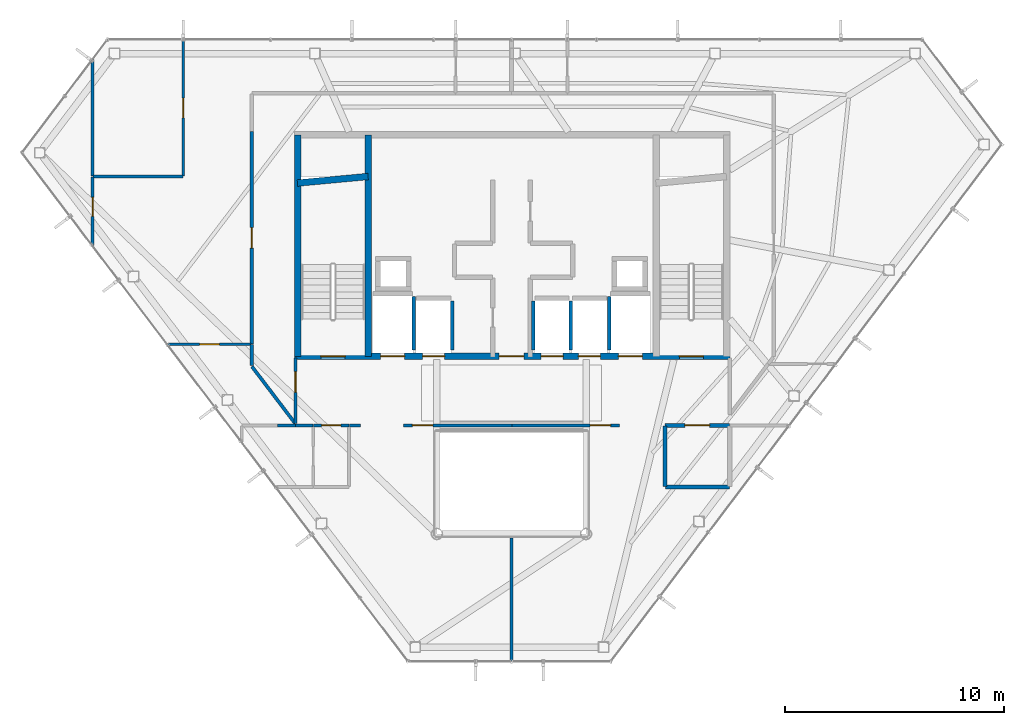
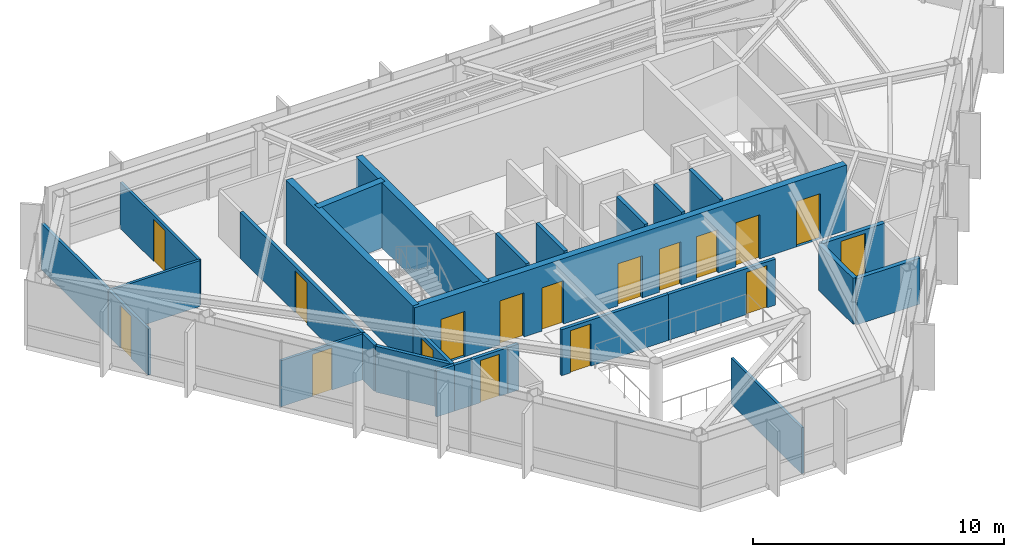
# One storey, part 21 of 24: 28 walls, 17 doors, 17 openings.
"""IFC4 building model written with IfcOpenShell, lengths in metres."""

import ifcopenshell
import ifcopenshell.guid

model = None  # the IFC model being written
_history = None  # IfcOwnerHistory: only IFC2X3 demands one
_inside = {}  # id of a spatial element -> (the spatial element, [elements in it])
_under = {}  # id of a project, library or spatial element -> (it, [spatial elements below it])
_declared = {}  # id of a project -> (the project, [libraries it declares])
_typed = {}  # id of a type object -> (the type object, [elements of that type])
_made_of = {}  # id of a material, layer set ... -> (it, [elements and type objects made of it])


def new_model(schema):
    """Start an empty IFC model of exactly this schema.

    Asked for "IFC4X3", IfcOpenShell would pick the latest addendum, in which some entities
    have other attributes; the version numbers below select the first issue.
    IFC2X3 requires an IfcOwnerHistory on every rooted entity: one is made here for all.
    """
    global model, _history
    if schema == "IFC4X3":
        model = ifcopenshell.file(schema_version=(4, 3, 0, 0))
    else:
        model = ifcopenshell.file(schema=schema)
    _inside.clear()
    _under.clear()
    _declared.clear()
    _typed.clear()
    _made_of.clear()
    _history = None
    if model.schema == "IFC2X3":
        org = make("IfcOrganization", Name="unknown")
        user = make(
            "IfcPersonAndOrganization",
            ThePerson=make("IfcPerson", FamilyName="unknown"),
            TheOrganization=org,
        )
        app = make(
            "IfcApplication",
            ApplicationDeveloper=org,
            Version="unknown",
            ApplicationFullName="unknown",
            ApplicationIdentifier="unknown",
        )
        _history = make(
            "IfcOwnerHistory",
            OwningUser=user,
            OwningApplication=app,
            ChangeAction="ADDED",
            CreationDate=0,
        )
    return model


def make(cls, **values):
    """One entity of the class cls with the attributes given. An attribute that is None is left unset."""
    return model.create_entity(
        cls, **{name: value for name, value in values.items() if value is not None}
    )


def rooted(cls, **values):
    """An entity with a GlobalId (a new one), such as an element, a storey or a relation."""
    return make(cls, GlobalId=ifcopenshell.guid.new(), OwnerHistory=_history, **values)


def si_unit(unit_type, name, prefix=None):
    """IfcSIUnit, for example si_unit("LENGTHUNIT", "METRE", prefix="MILLI")."""
    return make("IfcSIUnit", UnitType=unit_type, Prefix=prefix, Name=name)


def assignment(units):
    """IfcUnitAssignment: the units of a project."""
    return None if units is None else make("IfcUnitAssignment", Units=units)


def point(xyz):
    """IfcCartesianPoint."""
    return None if xyz is None else make("IfcCartesianPoint", Coordinates=xyz)


def direction(xyz):
    """IfcDirection."""
    return None if xyz is None else make("IfcDirection", DirectionRatios=xyz)


def frame(location, z_axis=None, x_axis=None):
    """IfcAxis2Placement3D, a coordinate frame: its origin and axes. An axis left out is left unset."""
    return make(
        "IfcAxis2Placement3D",
        Location=point(location),
        Axis=direction(z_axis),
        RefDirection=direction(x_axis),
    )


def frame_2d(location, x_axis=None):
    """IfcAxis2Placement2D, a coordinate frame in the plane: its origin and x axis."""
    return make(
        "IfcAxis2Placement2D", Location=point(location), RefDirection=direction(x_axis)
    )


def origin():
    """The frame at (0, 0, 0) with its axes left unset."""
    return frame((0.0, 0.0, 0.0))


def place(relative_to, where):
    """IfcLocalPlacement: puts the frame where relative to a parent placement (None: the world)."""
    return make(
        "IfcLocalPlacement", PlacementRelTo=relative_to, RelativePlacement=where
    )


def context(
    kind, dimensions, precision=None, world=None, true_north=None, identifier=None
):
    """IfcGeometricRepresentationContext, for example the 3D "Model" context."""
    return make(
        "IfcGeometricRepresentationContext",
        ContextIdentifier=identifier,
        ContextType=kind,
        CoordinateSpaceDimension=dimensions,
        Precision=precision,
        WorldCoordinateSystem=world,
        TrueNorth=true_north,
    )


def subcontext(parent, identifier, kind, view, scale=None):
    """IfcGeometricRepresentationSubContext, for example "Body" below "Model"."""
    return make(
        "IfcGeometricRepresentationSubContext",
        ContextIdentifier=identifier,
        ContextType=kind,
        ParentContext=parent,
        TargetScale=scale,
        TargetView=view,
    )


def project(units=None, contexts=None):
    """IfcProject with its units and contexts."""
    return rooted(
        "IfcProject",
        Name="project",
        RepresentationContexts=contexts,
        UnitsInContext=assignment(units),
    )


def spatial(cls, under=None, at=None, **own):
    """A site, building, storey or space (cls), placed at a placement, below another one or the project."""
    s = rooted(cls, ObjectPlacement=at, **own)
    if under is not None:
        _under.setdefault(under.id(), (under, []))[1].append(s)
    return s


def profile(cls, at=None, kind="AREA", **sizes):
    """A parametric profile (cls). Its sizes go by their IFC names, for example OverallWidth=200.0."""
    return make(cls, ProfileType=kind, Position=at, **sizes)


def rectangle(**sizes):
    """IfcRectangleProfileDef."""
    return profile("IfcRectangleProfileDef", **sizes)


def extrude(swept, where, along, depth):
    """IfcExtrudedAreaSolid: the profile swept, set in the frame where, extruded along a direction by depth."""
    return make(
        "IfcExtrudedAreaSolid",
        SweptArea=swept,
        Position=where,
        ExtrudedDirection=direction(along),
        Depth=depth,
    )


def shape(context_of_items, identifier, shape_type, items):
    """IfcShapeRepresentation: the items that make up one representation, for example the "Body"."""
    return make(
        "IfcShapeRepresentation",
        ContextOfItems=context_of_items,
        RepresentationIdentifier=identifier,
        RepresentationType=shape_type,
        Items=items,
    )


def material(Name=None, Category=None):
    """IfcMaterial."""
    return make("IfcMaterial", Name=Name, Category=Category)


def layer(
    of_material, thickness, ventilated=None, Name=None, Category=None, Priority=None
):
    """IfcMaterialLayer: one layer of a wall or slab, of a material (None: an air gap)."""
    return make(
        "IfcMaterialLayer",
        Material=of_material,
        LayerThickness=thickness,
        IsVentilated=ventilated,
        Name=Name,
        Category=Category,
        Priority=Priority,
    )


def layer_set(layers, Name=None):
    """IfcMaterialLayerSet."""
    return make("IfcMaterialLayerSet", MaterialLayers=layers, LayerSetName=Name)


def made_of(thing, what):
    """Note that an element or type object is made of a material, layer set ...; save() writes the relation."""
    if what is not None:
        _made_of.setdefault(what.id(), (what, []))[1].append(thing)
    return thing


def type_object(cls, material=None, **own):
    """A type object (cls), such as IfcWallType, which elements share."""
    return made_of(rooted(cls, **own), material)


def element(
    cls,
    number,
    at=None,
    inside=None,
    cuts=None,
    type_object=None,
    material=None,
    context=None,
    identifier="Body",
    shape_type=None,
    held_by="IfcProductDefinitionShape",
    body=None,
    shapes=None,
    **own,
):
    """One element of the class cls, such as IfcWall. Its Tag is "e" and its number.

    at: its placement. inside: the storey or other place that contains it. cuts: it is an
    opening in that element (IfcRelVoidsElement). A single representation is given by context,
    identifier, shape_type and body (its items); several are given by shapes. held_by: the class
    of the entity that holds the representations. save() writes the other relations.
    """
    e = rooted(cls, Tag="e%d" % number, ObjectPlacement=at, **own)
    if body is not None:
        shapes = [shape(context, identifier, shape_type, body)]
    if shapes is not None:
        e.Representation = make(held_by, Representations=shapes)
    if inside is not None:
        _inside.setdefault(inside.id(), (inside, []))[1].append(e)
    if cuts is not None:
        rooted(
            "IfcRelVoidsElement", RelatingBuildingElement=cuts, RelatedOpeningElement=e
        )
    if type_object is not None:
        _typed.setdefault(type_object.id(), (type_object, []))[1].append(e)
    return made_of(e, material)


def fill(opening, filler):
    """IfcRelFillsElement: the door or window that sits in an opening."""
    return rooted(
        "IfcRelFillsElement",
        RelatingOpeningElement=opening,
        RelatedBuildingElement=filler,
    )


def aggregate(whole, parts):
    """IfcRelAggregates: a whole, such as a stair, and the parts it consists of."""
    return rooted("IfcRelAggregates", RelatingObject=whole, RelatedObjects=parts)


def save(model, path):
    """Write the relations noted so far, then the file.

    IfcRelAggregates (storeys below a building ...), IfcRelContainedInSpatialStructure (elements
    in a storey), IfcRelDefinesByType, IfcRelAssociatesMaterial and IfcRelDeclares: one each for
    every whole, place, type object, material and project.
    """
    for whole, parts in _under.values():
        aggregate(whole, parts)
    for where, things in _inside.values():
        rooted(
            "IfcRelContainedInSpatialStructure",
            RelatedElements=things,
            RelatingStructure=where,
        )
    for kind, things in _typed.values():
        rooted("IfcRelDefinesByType", RelatedObjects=things, RelatingType=kind)
    for what, things in _made_of.values():
        rooted("IfcRelAssociatesMaterial", RelatedObjects=things, RelatingMaterial=what)
    for by, libraries in _declared.values():
        rooted("IfcRelDeclares", RelatingContext=by, RelatedDefinitions=libraries)
    model.write(path)


model = new_model("IFC4")

# Units and contexts
model_context = context("Model", 3, precision=1e-05, world=origin(), true_north=direction((0.0, 1.0)))
body_context = subcontext(model_context, "Body", "Model", "MODEL_VIEW")
ifc_project = project(units=[si_unit("LENGTHUNIT", "METRE"), si_unit("AREAUNIT", "SQUARE_METRE"), si_unit("VOLUMEUNIT", "CUBIC_METRE"), si_unit("PLANEANGLEUNIT", "RADIAN"), si_unit("MASSUNIT", "GRAM", prefix="KILO")], contexts=[model_context])

# Site, building, storey
site_placement = place(None, origin())
site = spatial("IfcSite", under=ifc_project, at=site_placement, CompositionType="ELEMENT")
building_placement = place(site_placement, origin())
building = spatial("IfcBuilding", under=site, at=building_placement, Name="Zarrinselat Tower", CompositionType="ELEMENT")
storey_placement = place(building_placement, frame((0.0, 0.0, 268.60009765625)))
storey = spatial("IfcBuildingStorey", under=building, at=storey_placement, Name="L68", CompositionType="ELEMENT", Elevation=268.60009765625)

# Wall, opening, door
ifc_material_1 = material(Name="Concrete C40/50", Category="concrete")
ifc_layer_1 = layer(ifc_material_1, 0.18994140625)
ifc_layer_set_1 = layer_set([ifc_layer_1], Name="Concrete C40/50")
wall_type_1 = type_object("IfcWallType", Name="WAL-PART-EI120", PredefinedType="PARTITIONING", material=ifc_layer_set_1)
wall_1_placement = place(storey_placement, frame((45.405029296875, 30.14990234375, 0.0), z_axis=(0.0, 0.0, 1.0), x_axis=(1.0, 0.0, 0.0)))
wall_1 = element("IfcWall", 1, at=wall_1_placement, inside=storey, type_object=wall_type_1, Name="L68 Partition Wall 11", PredefinedType="PARTITIONING", context=body_context, shape_type="SweptSolid", body=[
    extrude(rectangle(XDim=2.925048828125, YDim=0.18994140625, at=frame_2d((1.46240234375, 0.0))), origin(), (0.0, 0.0, 1.0), 2.23486328125),
])
opening_1_placement = place(wall_1_placement, frame((0.902587890625, 0.0, 0.0)))
opening_1 = element("IfcOpeningElement", 2, at=opening_1_placement, cuts=wall_1, Name="Opening ID-02", PredefinedType="OPENING", context=body_context, shape_type="SweptSolid", body=[
    extrude(rectangle(XDim=1.1201171875, YDim=2.050048828125, at=frame_2d((0.56005859375, 1.02490234375))), frame((0.0, 0.10498046875, 0.0), z_axis=(0.0, -1.0, 0.0), x_axis=(1.0, 0.0, 0.0)), (0.0, 0.0, 1.0), 0.2099609375),
])
ifc_material_2 = material(Name="Steel S355J2", Category="steel")
door_type_1 = type_object("IfcDoorType", Name="DR-INT-FD60-W", OperationType="NOTDEFINED", PredefinedType="DOOR", material=ifc_material_2)
door_1_placement = place(opening_1_placement, origin())
door_1 = element("IfcDoor", 3, at=door_1_placement, inside=storey, type_object=door_type_1, Name="L68 Interior Door P11", OperationType="SINGLE_SWING_LEFT", OverallHeight=2.050048828125, OverallWidth=1.1201171875, PredefinedType="DOOR", context=body_context, shape_type="SweptSolid", body=[
    extrude(rectangle(XDim=1.1201171875, YDim=2.050048828125, at=frame_2d((0.56005859375, 1.02490234375))), frame((0.0, 0.02490234375, 0.0), z_axis=(0.0, -1.0, 0.0), x_axis=(1.0, 0.0, 0.0)), (0.0, 0.0, 1.0), 0.050048828125),
])
fill(opening_1, door_1)

# Walls
wall_2_placement = place(storey_placement, frame((45.419921875, 27.35009765625, 0.0), z_axis=(0.0, 0.0, 1.0), x_axis=(1.0, 0.0, 0.0)))
element("IfcWall", 4, at=wall_2_placement, inside=storey, type_object=wall_type_1, Name="L68 Partition Wall 19", PredefinedType="PARTITIONING", context=body_context, shape_type="SweptSolid", body=[
    extrude(rectangle(XDim=2.91015625, YDim=0.18994140625, at=frame_2d((1.455078125, 0.0))), origin(), (0.0, 0.0, 1.0), 2.23486328125),
])
wall_3_placement = place(storey_placement, frame((45.39990234375, 27.3701171875, 0.0), z_axis=(0.0, 0.0, 1.0), x_axis=(0.0, 1.0, 0.0)))
element("IfcWall", 5, at=wall_3_placement, inside=storey, type_object=wall_type_1, Name="L68 Partition Wall 20", PredefinedType="PARTITIONING", context=body_context, shape_type="SweptSolid", body=[
    extrude(rectangle(XDim=2.759765625, YDim=0.18994140625, at=frame_2d((1.3798828125, 0.0))), origin(), (0.0, 0.0, 1.0), 2.23486328125),
])

# Wall, opening, door
ifc_material_3 = material(Name="Fire-Rated Gypsum Board Partition", Category="gypsum")
ifc_layer_2 = layer(ifc_material_3, 0.14990234375)
ifc_layer_set_2 = layer_set([ifc_layer_2], Name="Fire-Rated Gypsum Board Partition")
wall_type_2 = type_object("IfcWallType", Name="WAL-PART-EI60", PredefinedType="PARTITIONING", material=ifc_layer_set_2)
wall_4_placement = place(storey_placement, frame((28.550048828125, 30.22705078125, 0.0), z_axis=(0.0, 0.0, 1.0), x_axis=(0.0, 1.0, 0.0)))
wall_4 = element("IfcWall", 6, at=wall_4_placement, inside=storey, type_object=wall_type_2, Name="L68 Partition Wall 12", PredefinedType="PARTITIONING", context=body_context, shape_type="SweptSolid", body=[
    extrude(rectangle(XDim=3.0029296875, YDim=0.14990234375, at=frame_2d((1.50146484375, 0.0))), origin(), (0.0, 0.0, 1.0), 2.23486328125),
])
opening_2_placement = place(wall_4_placement, frame((1.431396484375, 0.0, 0.0)))
opening_2 = element("IfcOpeningElement", 7, at=opening_2_placement, cuts=wall_4, Name="Opening ID-04", PredefinedType="OPENING", context=body_context, shape_type="SweptSolid", body=[
    extrude(rectangle(XDim=0.93994140625, YDim=2.050048828125, at=frame_2d((0.469970703125, 1.02490234375))), frame((0.0, 0.0849609375, 0.0), z_axis=(0.0, -1.0, 0.0), x_axis=(1.0, 0.0, 0.0)), (0.0, 0.0, 1.0), 0.169921875),
])
ifc_material_4 = material(Name="Fire-Rated Gypsum Board Partition")
door_type_2 = type_object("IfcDoorType", Name="DR-INT-FD30-ENT", OperationType="NOTDEFINED", PredefinedType="DOOR", material=ifc_material_4)
door_2_placement = place(opening_2_placement, origin())
door_2 = element("IfcDoor", 8, at=door_2_placement, inside=storey, type_object=door_type_2, Name="L68 Interior Door P12", OperationType="SINGLE_SWING_RIGHT", OverallHeight=2.050048828125, OverallWidth=0.93994140625, PredefinedType="DOOR", context=body_context, shape_type="SweptSolid", body=[
    extrude(rectangle(XDim=0.93994140625, YDim=2.050048828125, at=frame_2d((0.469970703125, 1.02490234375))), frame((0.0, 0.02490234375, 0.0), z_axis=(0.0, -1.0, 0.0), x_axis=(1.0, 0.0, 0.0)), (0.0, 0.0, 1.0), 0.050048828125),
])
fill(opening_2, door_2)

wall_5_placement = place(storey_placement, frame((29.364990234375, 30.14990234375, 0.0), z_axis=(0.0, 0.0, 1.0), x_axis=(1.0, 0.0, 0.0)))
wall_5 = element("IfcWall", 9, at=wall_5_placement, inside=storey, type_object=wall_type_2, Name="L68 Partition Wall 14", PredefinedType="PARTITIONING", context=body_context, shape_type="SweptSolid", body=[
    extrude(rectangle(XDim=1.630126953125, YDim=0.14990234375, at=frame_2d((0.81494140625, 0.0))), origin(), (0.0, 0.0, 1.0), 2.23486328125),
])
opening_3_placement = place(wall_5_placement, frame((0.375, 0.0, 0.0)))
opening_3 = element("IfcOpeningElement", 10, at=opening_3_placement, cuts=wall_5, Name="Opening ID-03", PredefinedType="OPENING", context=body_context, shape_type="SweptSolid", body=[
    extrude(rectangle(XDim=0.8798828125, YDim=2.050048828125, at=frame_2d((0.43994140625, 1.02490234375))), frame((0.0, 0.0849609375, 0.0), z_axis=(0.0, -1.0, 0.0), x_axis=(1.0, 0.0, 0.0)), (0.0, 0.0, 1.0), 0.169921875),
])
ifc_material_5 = material(Name="Steel S355J2", Category="steel")
door_type_3 = type_object("IfcDoorType", Name="DR-INT-FD60-S", OperationType="NOTDEFINED", PredefinedType="DOOR", material=ifc_material_5)
door_3_placement = place(opening_3_placement, origin())
door_3 = element("IfcDoor", 11, at=door_3_placement, inside=storey, type_object=door_type_3, Name="L68 Interior Door P14", OperationType="SINGLE_SWING_LEFT", OverallHeight=2.050048828125, OverallWidth=0.8798828125, PredefinedType="DOOR", context=body_context, shape_type="SweptSolid", body=[
    extrude(rectangle(XDim=0.8798828125, YDim=2.050048828125, at=frame_2d((0.43994140625, 1.02490234375))), frame((0.0, 0.02490234375, 0.0), z_axis=(0.0, -1.0, 0.0), x_axis=(1.0, 0.0, 0.0)), (0.0, 0.0, 1.0), 0.050048828125),
])
fill(opening_3, door_3)

# Wall
wall_6_placement = place(storey_placement, frame((28.550048828125, 30.14990234375, 0.0), z_axis=(0.0, 0.0, 1.0), x_axis=(1.0, 0.0, 0.0)))
element("IfcWall", 12, at=wall_6_placement, inside=storey, type_object=wall_type_2, Name="L68 Partition Wall 15", PredefinedType="PARTITIONING", context=body_context, shape_type="SweptSolid", body=[
    extrude(rectangle(XDim=0.804931640625, YDim=0.14990234375, at=frame_2d((0.40234375, 0.0))), origin(), (0.0, 0.0, 1.0), 2.23486328125),
])

# Wall, opening, door
wall_7_placement = place(storey_placement, frame((33.485107421875, 30.14990234375, 0.0), z_axis=(0.0, 0.0, 1.0), x_axis=(1.0, 0.0, 0.0)))
wall_7 = element("IfcWall", 13, at=wall_7_placement, inside=storey, type_object=wall_type_2, Name="L68 Partition Wall 16", PredefinedType="PARTITIONING", context=body_context, shape_type="SweptSolid", body=[
    extrude(rectangle(XDim=4.929931640625, YDim=0.14990234375, at=frame_2d((2.46484375, 0.0))), origin(), (0.0, 0.0, 1.0), 2.23486328125),
])
opening_4_placement = place(wall_7_placement, frame((0.39501953125, 0.0, 0.0)))
opening_4 = element("IfcOpeningElement", 14, at=opening_4_placement, cuts=wall_7, Name="Opening ID-04", PredefinedType="OPENING", context=body_context, shape_type="SweptSolid", body=[
    extrude(rectangle(XDim=0.93994140625, YDim=2.050048828125, at=frame_2d((0.469970703125, 1.02490234375))), frame((0.0, 0.0849609375, 0.0), z_axis=(0.0, -1.0, 0.0), x_axis=(1.0, 0.0, 0.0)), (0.0, 0.0, 1.0), 0.169921875),
])
door_4_placement = place(opening_4_placement, origin())
door_4 = element("IfcDoor", 15, at=door_4_placement, inside=storey, type_object=door_type_2, Name="L68 Interior Door P16", OperationType="SINGLE_SWING_RIGHT", OverallHeight=2.050048828125, OverallWidth=0.93994140625, PredefinedType="DOOR", context=body_context, shape_type="SweptSolid", body=[
    extrude(rectangle(XDim=0.93994140625, YDim=2.050048828125, at=frame_2d((0.469970703125, 1.02490234375))), frame((0.0, 0.02490234375, 0.0), z_axis=(0.0, -1.0, 0.0), x_axis=(1.0, 0.0, 0.0)), (0.0, 0.0, 1.0), 0.050048828125),
])
fill(opening_4, door_4)

# Wall
wall_8_placement = place(storey_placement, frame((31.0048828125, 30.14990234375, 0.0), z_axis=(0.0, 0.0, 1.0), x_axis=(1.0, 0.0, 0.0)))
element("IfcWall", 16, at=wall_8_placement, inside=storey, type_object=wall_type_2, Name="L68 Partition Wall 17", PredefinedType="PARTITIONING", context=body_context, shape_type="SweptSolid", body=[
    extrude(rectangle(XDim=0.510009765625, YDim=0.14990234375, at=frame_2d((0.2548828125, 0.0))), origin(), (0.0, 0.0, 1.0), 2.23486328125),
])

# Wall, opening, door
wall_9_placement = place(storey_placement, frame((38.385009765625, 30.14990234375, 0.0), z_axis=(0.0, 0.0, 1.0), x_axis=(1.0, 0.0, 0.0)))
wall_9 = element("IfcWall", 17, at=wall_9_placement, inside=storey, type_object=wall_type_2, Name="L68 Partition Wall 18", PredefinedType="PARTITIONING", context=body_context, shape_type="SweptSolid", body=[
    extrude(rectangle(XDim=4.929931640625, YDim=0.14990234375, at=frame_2d((2.46484375, 0.0))), origin(), (0.0, 0.0, 1.0), 2.23486328125),
])
opening_5_placement = place(wall_9_placement, frame((3.594970703125, 0.0, 0.0)))
opening_5 = element("IfcOpeningElement", 18, at=opening_5_placement, cuts=wall_9, Name="Opening ID-04", PredefinedType="OPENING", context=body_context, shape_type="SweptSolid", body=[
    extrude(rectangle(XDim=0.93994140625, YDim=2.050048828125, at=frame_2d((0.469970703125, 1.02490234375))), frame((0.0, 0.0849609375, 0.0), z_axis=(0.0, -1.0, 0.0), x_axis=(1.0, 0.0, 0.0)), (0.0, 0.0, 1.0), 0.169921875),
])
door_5_placement = place(opening_5_placement, origin())
door_5 = element("IfcDoor", 19, at=door_5_placement, inside=storey, type_object=door_type_2, Name="L68 Interior Door P18", OperationType="SINGLE_SWING_LEFT", OverallHeight=2.050048828125, OverallWidth=0.93994140625, PredefinedType="DOOR", context=body_context, shape_type="SweptSolid", body=[
    extrude(rectangle(XDim=0.93994140625, YDim=2.050048828125, at=frame_2d((0.469970703125, 1.02490234375))), frame((0.0, 0.02490234375, 0.0), z_axis=(0.0, -1.0, 0.0), x_axis=(1.0, 0.0, 0.0)), (0.0, 0.0, 1.0), 0.050048828125),
])
fill(opening_5, door_5)

wall_10_placement = place(storey_placement, frame((26.550048828125, 33.855224609375, 0.0), z_axis=(0.0, 0.0, 1.0), x_axis=(0.0, 1.0, 0.0)))
wall_10 = element("IfcWall", 20, at=wall_10_placement, inside=storey, type_object=wall_type_2, Name="L68 Partition Wall 22", PredefinedType="PARTITIONING", context=body_context, shape_type="SweptSolid", body=[
    extrude(rectangle(XDim=9.69482421875, YDim=0.14990234375, at=frame_2d((4.847412109375, 0.0))), origin(), (0.0, 0.0, 1.0), 2.23486328125),
])
opening_6_placement = place(wall_10_placement, frame((4.37744140625, 0.0, 0.0)))
opening_6 = element("IfcOpeningElement", 21, at=opening_6_placement, cuts=wall_10, Name="Opening ID-04", PredefinedType="OPENING", context=body_context, shape_type="SweptSolid", body=[
    extrude(rectangle(XDim=0.93994140625, YDim=2.050048828125, at=frame_2d((0.469970703125, 1.02490234375))), frame((0.0, 0.0849609375, 0.0), z_axis=(0.0, -1.0, 0.0), x_axis=(1.0, 0.0, 0.0)), (0.0, 0.0, 1.0), 0.169921875),
])
door_6_placement = place(opening_6_placement, origin())
door_6 = element("IfcDoor", 22, at=door_6_placement, inside=storey, type_object=door_type_2, Name="L68 Interior Door P22", OperationType="SINGLE_SWING_RIGHT", OverallHeight=2.050048828125, OverallWidth=0.93994140625, PredefinedType="DOOR", context=body_context, shape_type="SweptSolid", body=[
    extrude(rectangle(XDim=0.93994140625, YDim=2.050048828125, at=frame_2d((0.469970703125, 1.02490234375))), frame((0.0, 0.02490234375, 0.0), z_axis=(0.0, -1.0, 0.0), x_axis=(1.0, 0.0, 0.0)), (0.0, 0.0, 1.0), 0.050048828125),
])
fill(opening_6, door_6)

# Walls
wall_11_placement = place(storey_placement, frame((26.56201171875, 32.839599609375, 0.0), z_axis=(0.0, 0.0, 1.0), x_axis=(0.604783852999, -0.796389660375, 0.0)))
element("IfcWall", 23, at=wall_11_placement, inside=storey, type_object=wall_type_2, Name="L68 Partition Wall 26", PredefinedType="PARTITIONING", context=body_context, shape_type="SweptSolid", body=[
    extrude(rectangle(XDim=3.26708984375, YDim=0.14990234375, at=frame_2d((1.633544921875, 0.0))), origin(), (0.0, 0.0, 1.0), 2.23486328125),
])
wall_12_placement = place(storey_placement, frame((26.550048828125, 32.87548828125, 0.0), z_axis=(0.0, 0.0, 1.0), x_axis=(0.0, 1.0, 0.0)))
element("IfcWall", 24, at=wall_12_placement, inside=storey, type_object=wall_type_2, Name="L68 Partition Wall 27", PredefinedType="PARTITIONING", context=body_context, shape_type="SweptSolid", body=[
    extrude(rectangle(XDim=0.9697265625, YDim=0.14990234375, at=frame_2d((0.48486328125, 0.0))), origin(), (0.0, 0.0, 1.0), 2.23486328125),
])
ifc_material_6 = material(Name="Extruded Aluminium Alloy EN AW-6063 T6", Category="aluminium")
ifc_layer_3 = layer(ifc_material_6, 0.114990234375)
ifc_layer_set_3 = layer_set([ifc_layer_3], Name="Extruded Aluminium Alloy EN AW-6063 T6")
wall_type_3 = type_object("IfcWallType", Name="WAL-PART-MOV", PredefinedType="MOVABLE", material=ifc_layer_set_3)
wall_13_placement = place(storey_placement, frame((38.39990234375, 19.403076171875, 0.0), z_axis=(0.0, 0.0, 1.0), x_axis=(0.0, 1.0, 0.0)))
element("IfcWall", 25, at=wall_13_placement, inside=storey, type_object=wall_type_3, Name="L68 Partition Wall 41", PredefinedType="MOVABLE", context=body_context, shape_type="SweptSolid", body=[
    extrude(rectangle(XDim=5.616943359375, YDim=0.114990234375, at=frame_2d((2.80859375, 0.0))), origin(), (0.0, 0.0, 1.0), 2.23486328125),
])
ifc_material_7 = material(Name="Fire-Rated Gypsum Board Partition", Category="gypsum")
ifc_layer_4 = layer(ifc_material_7, 0.1201171875)
ifc_layer_set_4 = layer_set([ifc_layer_4], Name="Fire-Rated Gypsum Board Partition")
wall_type_4 = type_object("IfcWallType", Name="WAL-PART-STD", PredefinedType="PARTITIONING", material=ifc_layer_set_4)
wall_14_placement = place(storey_placement, frame((19.322265625, 41.49853515625, 0.0), z_axis=(0.0, 0.0, 1.0), x_axis=(1.0, 0.0, 0.0)))
element("IfcWall", 26, at=wall_14_placement, inside=storey, type_object=wall_type_4, Name="L68 Partition Wall 45", PredefinedType="PARTITIONING", context=body_context, shape_type="SweptSolid", body=[
    extrude(rectangle(XDim=4.096923828125, YDim=0.1201171875, at=frame_2d((2.04833984375, 0.0))), origin(), (0.0, 0.0, 1.0), 2.23486328125),
])

# Wall, opening, door
wall_15_placement = place(storey_placement, frame((23.439208984375, 41.5185546875, 0.0), z_axis=(0.0, 0.0, 1.0), x_axis=(0.0, 1.0, 0.0)))
wall_15 = element("IfcWall", 27, at=wall_15_placement, inside=storey, type_object=wall_type_4, Name="L68 Partition Wall 46", PredefinedType="PARTITIONING", context=body_context, shape_type="SweptSolid", body=[
    extrude(rectangle(XDim=6.216552734375, YDim=0.1201171875, at=frame_2d((3.1083984375, 0.0))), origin(), (0.0, 0.0, 1.0), 2.23486328125),
])
opening_7_placement = place(wall_15_placement, frame((2.658203125, 0.0, 0.0)))
opening_7 = element("IfcOpeningElement", 28, at=opening_7_placement, cuts=wall_15, Name="Opening ID-05", PredefinedType="OPENING", context=body_context, shape_type="SweptSolid", body=[
    extrude(rectangle(XDim=0.89990234375, YDim=2.050048828125, at=frame_2d((0.449951171875, 1.02490234375))), frame((0.0, 0.070068359375, 0.0), z_axis=(0.0, -1.0, 0.0), x_axis=(1.0, 0.0, 0.0)), (0.0, 0.0, 1.0), 0.14013671875),
])
ifc_material_8 = material(Name="Extruded Aluminium Alloy EN AW-6063 T6", Category="aluminium")
door_type_4 = type_object("IfcDoorType", Name="DR-INT-STD-920", OperationType="NOTDEFINED", PredefinedType="DOOR", material=ifc_material_8)
door_7_placement = place(opening_7_placement, origin())
door_7 = element("IfcDoor", 29, at=door_7_placement, inside=storey, type_object=door_type_4, Name="L68 Interior Door P46", OperationType="SINGLE_SWING_LEFT", OverallHeight=2.050048828125, OverallWidth=0.89990234375, PredefinedType="DOOR", context=body_context, shape_type="SweptSolid", body=[
    extrude(rectangle(XDim=0.89990234375, YDim=2.050048828125, at=frame_2d((0.449951171875, 1.02490234375))), frame((0.0, 0.02490234375, 0.0), z_axis=(0.0, -1.0, 0.0), x_axis=(1.0, 0.0, 0.0)), (0.0, 0.0, 1.0), 0.050048828125),
])
fill(opening_7, door_7)

wall_16_placement = place(storey_placement, frame((22.720703125, 33.85009765625, 0.0), z_axis=(0.0, 0.0, 1.0), x_axis=(1.0, 0.0, 0.0)))
wall_16 = element("IfcWall", 30, at=wall_16_placement, inside=storey, type_object=wall_type_4, Name="L68 Partition Wall 47", PredefinedType="PARTITIONING", context=body_context, shape_type="SweptSolid", body=[
    extrude(rectangle(XDim=3.809326171875, YDim=0.1201171875, at=frame_2d((1.90478515625, 0.0))), origin(), (0.0, 0.0, 1.0), 2.23486328125),
])
opening_8_placement = place(wall_16_placement, frame((1.45458984375, 0.0, 0.0)))
opening_8 = element("IfcOpeningElement", 31, at=opening_8_placement, cuts=wall_16, Name="Opening ID-05", PredefinedType="OPENING", context=body_context, shape_type="SweptSolid", body=[
    extrude(rectangle(XDim=0.89990234375, YDim=2.050048828125, at=frame_2d((0.449951171875, 1.02490234375))), frame((0.0, 0.070068359375, 0.0), z_axis=(0.0, -1.0, 0.0), x_axis=(1.0, 0.0, 0.0)), (0.0, 0.0, 1.0), 0.14013671875),
])
door_8_placement = place(opening_8_placement, origin())
door_8 = element("IfcDoor", 32, at=door_8_placement, inside=storey, type_object=door_type_4, Name="L68 Interior Door P47", OperationType="SINGLE_SWING_RIGHT", OverallHeight=2.050048828125, OverallWidth=0.89990234375, PredefinedType="DOOR", context=body_context, shape_type="SweptSolid", body=[
    extrude(rectangle(XDim=0.89990234375, YDim=2.050048828125, at=frame_2d((0.449951171875, 1.02490234375))), frame((0.0, 0.02490234375, 0.0), z_axis=(0.0, -1.0, 0.0), x_axis=(1.0, 0.0, 0.0)), (0.0, 0.0, 1.0), 0.050048828125),
])
fill(opening_8, door_8)

# Wall
ifc_material_9 = material(Name="Fire-Rated Gypsum Board Partition", Category="gypsum")
ifc_layer_5 = layer(ifc_material_9, 0.135009765625)
ifc_layer_set_5 = layer_set([ifc_layer_5], Name="Fire-Rated Gypsum Board Partition")
wall_type_5 = type_object("IfcWallType", Name="WAL-PART-WET", PredefinedType="PARTITIONING", material=ifc_layer_set_5)
wall_17_placement = place(storey_placement, frame((27.72998046875, 30.14990234375, 0.0), z_axis=(0.0, 0.0, 1.0), x_axis=(1.0, 0.0, 0.0)))
element("IfcWall", 33, at=wall_17_placement, inside=storey, type_object=wall_type_5, Name="L68 Partition Wall 40", PredefinedType="PARTITIONING", context=body_context, shape_type="SweptSolid", body=[
    extrude(rectangle(XDim=0.820068359375, YDim=0.135009765625, at=frame_2d((0.41015625, 0.0))), origin(), (0.0, 0.0, 1.0), 2.23486328125),
])

# Wall, opening, door
wall_18_placement = place(storey_placement, frame((19.30224609375, 38.3466796875, 0.0), z_axis=(0.0, 0.0, 1.0), x_axis=(0.0, 1.0, 0.0)))
wall_18 = element("IfcWall", 34, at=wall_18_placement, inside=storey, type_object=wall_type_5, Name="L68 Partition Wall 43", PredefinedType="PARTITIONING", context=body_context, shape_type="SweptSolid", body=[
    extrude(rectangle(XDim=3.1318359375, YDim=0.135009765625, at=frame_2d((1.56591796875, 0.0))), origin(), (0.0, 0.0, 1.0), 2.23486328125),
])
opening_9_placement = place(wall_18_placement, frame((1.335693359375, 0.0, 0.0)))
opening_9 = element("IfcOpeningElement", 35, at=opening_9_placement, cuts=wall_18, Name="Opening ID-06", PredefinedType="OPENING", context=body_context, shape_type="SweptSolid", body=[
    extrude(rectangle(XDim=0.860107421875, YDim=2.050048828125, at=frame_2d((0.43017578125, 1.02490234375))), frame((0.0, 0.077392578125, 0.0), z_axis=(0.0, -1.0, 0.0), x_axis=(1.0, 0.0, 0.0)), (0.0, 0.0, 1.0), 0.155029296875),
])
ifc_material_10 = material(Name="Extruded Aluminium Alloy EN AW-6063 T6", Category="aluminium")
door_type_5 = type_object("IfcDoorType", Name="DR-INT-WET-900", OperationType="NOTDEFINED", PredefinedType="DOOR", material=ifc_material_10)
door_9_placement = place(opening_9_placement, origin())
door_9 = element("IfcDoor", 36, at=door_9_placement, inside=storey, type_object=door_type_5, Name="L68 Interior Door P43", OperationType="SINGLE_SWING_LEFT", OverallHeight=2.050048828125, OverallWidth=0.860107421875, PredefinedType="DOOR", context=body_context, shape_type="SweptSolid", body=[
    extrude(rectangle(XDim=0.860107421875, YDim=2.050048828125, at=frame_2d((0.43017578125, 1.02490234375))), frame((0.0, 0.02490234375, 0.0), z_axis=(0.0, -1.0, 0.0), x_axis=(1.0, 0.0, 0.0)), (0.0, 0.0, 1.0), 0.050048828125),
])
fill(opening_9, door_9)

# Walls
wall_19_placement = place(storey_placement, frame((19.30224609375, 41.5185546875, 0.0), z_axis=(0.0, 0.0, 1.0), x_axis=(0.0, 1.0, 0.0)))
element("IfcWall", 37, at=wall_19_placement, inside=storey, type_object=wall_type_5, Name="L68 Partition Wall 48", PredefinedType="PARTITIONING", context=body_context, shape_type="SweptSolid", body=[
    extrude(rectangle(XDim=5.315185546875, YDim=0.135009765625, at=frame_2d((2.65771484375, 0.0))), origin(), (0.0, 0.0, 1.0), 2.23486328125),
])
ifc_material_11 = material(Name="Concrete C40/50", Category="concrete")
ifc_layer_6 = layer(ifc_material_11, 0.2099609375)
ifc_layer_set_6 = layer_set([ifc_layer_6], Name="Concrete C40/50")
wall_type_6 = type_object("IfcWallType", Name="WAL-SHAFT-210", PredefinedType="SOLIDWALL", material=ifc_layer_set_6)
for number, where, z_axis, x_axis, name in (
    (38, (33.949951171875, 33.580078125, 0.0), (0.0, 0.0, 1.0), (0.0, 1.0, 0.0), "L68 Lift FFL1 E Shaft Wall"),
    (39, (42.85009765625, 33.580078125, 0.0), (0.0, 0.0, 1.0), (0.0, 1.0, 0.0), "L68 Lift FFL2 W Shaft Wall"),
):
    element("IfcWall", number, at=place(storey_placement, frame(where, z_axis=z_axis, x_axis=x_axis)), inside=storey, type_object=wall_type_6, Name=name, PredefinedType="SOLIDWALL", context=body_context, shape_type="SweptSolid", body=[
        extrude(rectangle(XDim=2.449951171875, YDim=0.159912109375, at=frame_2d((1.22509765625, 0.0))), origin(), (0.0, 0.0, 1.0), 3.179931640625),
    ])
for number, where, z_axis, x_axis, name in (
    (40, (39.39990234375, 33.580078125, 0.0), (0.0, 0.0, 1.0), (0.0, 1.0, 0.0), "L68 Lift PL8 W Shaft Wall"),
    (41, (41.10009765625, 33.580078125, 0.0), (0.0, 0.0, 1.0), (0.0, 1.0, 0.0), "L68 Lift PL8 E Shaft Wall"),
    (42, (35.699951171875, 33.580078125, 0.0), (0.0, 0.0, 1.0), (0.0, 1.0, 0.0), "L68 Lift PL10 E Shaft Wall"),
):
    element("IfcWall", number, at=place(storey_placement, frame(where, z_axis=z_axis, x_axis=x_axis)), inside=storey, type_object=wall_type_6, Name=name, PredefinedType="SOLIDWALL", context=body_context, shape_type="SweptSolid", body=[
        extrude(rectangle(XDim=2.25, YDim=0.159912109375, at=frame_2d((1.125, 0.0))), origin(), (0.0, 0.0, 1.0), 3.179931640625),
    ])

# Wall, openings, doors
ifc_material_12 = material(Name="Concrete C40/50", Category="concrete")
ifc_layer_7 = layer(ifc_material_12, 0.300048828125)
ifc_layer_set_7 = layer_set([ifc_layer_7], Name="Concrete C40/50")
wall_type_7 = type_object("IfcWallType", Name="WAL-SHEAR-300", PredefinedType="SHEAR", material=ifc_layer_set_7)
wall_20_placement = place(storey_placement, frame((28.5, 33.300048828125, 0.0), z_axis=(0.0, 0.0, 1.0), x_axis=(1.0, 0.0, 0.0)))
wall_20 = element("IfcWall", 43, at=wall_20_placement, inside=storey, type_object=wall_type_7, Name="L68 South Core Shear Wall", PredefinedType="SHEAR", context=body_context, shape_type="SweptSolid", body=[
    extrude(rectangle(XDim=19.860107421875, YDim=0.300048828125, at=frame_2d((9.93017578125, 0.0))), origin(), (0.0, 0.0, 1.0), 3.179931640625),
])
opening_10_placement = place(wall_20_placement, frame((3.929931640625, 0.0, 0.0)))
opening_10 = element("IfcOpeningElement", 44, at=opening_10_placement, cuts=wall_20, Name="Opening LD-FFL1", PredefinedType="OPENING", context=body_context, shape_type="SweptSolid", body=[
    extrude(rectangle(XDim=1.10009765625, YDim=2.14990234375, at=frame_2d((0.550048828125, 1.074951171875))), frame((0.0, 0.159912109375, 0.0), z_axis=(0.0, -1.0, 0.0), x_axis=(1.0, 0.0, 0.0)), (0.0, 0.0, 1.0), 0.320068359375),
])
opening_11_placement = place(wall_20_placement, frame((14.77001953125, 0.0, 0.0)))
opening_11 = element("IfcOpeningElement", 45, at=opening_11_placement, cuts=wall_20, Name="Opening LD-FFL2", PredefinedType="OPENING", context=body_context, shape_type="SweptSolid", body=[
    extrude(rectangle(XDim=1.10009765625, YDim=2.14990234375, at=frame_2d((0.550048828125, 1.074951171875))), frame((0.0, 0.159912109375, 0.0), z_axis=(0.0, -1.0, 0.0), x_axis=(1.0, 0.0, 0.0)), (0.0, 0.0, 1.0), 0.320068359375),
])
opening_12_placement = place(wall_20_placement, frame((11.25, 0.0, 0.0)))
opening_12 = element("IfcOpeningElement", 46, at=opening_12_placement, cuts=wall_20, Name="Opening LD-PL8", PredefinedType="OPENING", context=body_context, shape_type="SweptSolid", body=[
    extrude(rectangle(XDim=1.0, YDim=2.10009765625, at=frame_2d((0.5, 1.050048828125))), frame((0.0, 0.159912109375, 0.0), z_axis=(0.0, -1.0, 0.0), x_axis=(1.0, 0.0, 0.0)), (0.0, 0.0, 1.0), 0.320068359375),
])
opening_13_placement = place(wall_20_placement, frame((12.949951171875, 0.0, 0.0)))
opening_13 = element("IfcOpeningElement", 47, at=opening_13_placement, cuts=wall_20, Name="Opening LD-PL9", PredefinedType="OPENING", context=body_context, shape_type="SweptSolid", body=[
    extrude(rectangle(XDim=1.0, YDim=2.10009765625, at=frame_2d((0.5, 1.050048828125))), frame((0.0, 0.159912109375, 0.0), z_axis=(0.0, -1.0, 0.0), x_axis=(1.0, 0.0, 0.0)), (0.0, 0.0, 1.0), 0.320068359375),
])
opening_14_placement = place(wall_20_placement, frame((5.85009765625, 0.0, 0.0)))
opening_14 = element("IfcOpeningElement", 48, at=opening_14_placement, cuts=wall_20, Name="Opening LD-PL10", PredefinedType="OPENING", context=body_context, shape_type="SweptSolid", body=[
    extrude(rectangle(XDim=1.0, YDim=2.10009765625, at=frame_2d((0.5, 1.050048828125))), frame((0.0, 0.159912109375, 0.0), z_axis=(0.0, -1.0, 0.0), x_axis=(1.0, 0.0, 0.0)), (0.0, 0.0, 1.0), 0.320068359375),
])
opening_15_placement = place(wall_20_placement, frame((1.2099609375, 0.0, 0.0)))
opening_15 = element("IfcOpeningElement", 49, at=opening_15_placement, cuts=wall_20, Name="Opening SD-01", PredefinedType="OPENING", context=body_context, shape_type="SweptSolid", body=[
    extrude(rectangle(XDim=1.10009765625, YDim=2.199951171875, at=frame_2d((0.550048828125, 1.10009765625))), frame((0.0, 0.159912109375, 0.0), z_axis=(0.0, -1.0, 0.0), x_axis=(1.0, 0.0, 0.0)), (0.0, 0.0, 1.0), 0.320068359375),
])
opening_16_placement = place(wall_20_placement, frame((9.340087890625, 0.0, 0.0)))
opening_16 = element("IfcOpeningElement", 50, at=opening_16_placement, cuts=wall_20, Name="Opening ID-02", PredefinedType="OPENING", context=body_context, shape_type="SweptSolid", body=[
    extrude(rectangle(XDim=1.1201171875, YDim=2.050048828125, at=frame_2d((0.56005859375, 1.02490234375))), frame((0.0, 0.159912109375, 0.0), z_axis=(0.0, -1.0, 0.0), x_axis=(1.0, 0.0, 0.0)), (0.0, 0.0, 1.0), 0.320068359375),
])
opening_17_placement = place(wall_20_placement, frame((17.550048828125, 0.0, 0.0)))
opening_17 = element("IfcOpeningElement", 51, at=opening_17_placement, cuts=wall_20, Name="Opening SD-01", PredefinedType="OPENING", context=body_context, shape_type="SweptSolid", body=[
    extrude(rectangle(XDim=1.10009765625, YDim=2.199951171875, at=frame_2d((0.550048828125, 1.10009765625))), frame((0.0, 0.159912109375, 0.0), z_axis=(0.0, -1.0, 0.0), x_axis=(1.0, 0.0, 0.0)), (0.0, 0.0, 1.0), 0.320068359375),
])
door_10_placement = place(opening_16_placement, origin())
door_10 = element("IfcDoor", 52, at=door_10_placement, inside=storey, type_object=door_type_1, Name="L68 Core Service Vestibule Fire Door", OperationType="SINGLE_SWING_RIGHT", OverallHeight=2.050048828125, OverallWidth=1.1201171875, PredefinedType="DOOR", context=body_context, shape_type="SweptSolid", body=[
    extrude(rectangle(XDim=1.1201171875, YDim=2.050048828125, at=frame_2d((0.56005859375, 1.02490234375))), frame((0.0, 0.02490234375, 0.0), z_axis=(0.0, -1.0, 0.0), x_axis=(1.0, 0.0, 0.0)), (0.0, 0.0, 1.0), 0.050048828125),
])
fill(opening_16, door_10)
ifc_material_13 = material(Name="Steel S355J2", Category="steel")
door_type_6 = type_object("IfcDoorType", Name="DR-LIFT-FF-1100", OperationType="NOTDEFINED", PredefinedType="DOOR", material=ifc_material_13)
door_11_placement = place(opening_10_placement, origin())
door_11 = element("IfcDoor", 53, at=door_11_placement, inside=storey, type_object=door_type_6, Name="L68 Lift FFL1 Sliding Landing Door", OperationType="SLIDING_TO_LEFT", OverallHeight=2.14990234375, OverallWidth=1.10009765625, PredefinedType="DOOR", context=body_context, shape_type="SweptSolid", body=[
    extrude(rectangle(XDim=1.10009765625, YDim=2.14990234375, at=frame_2d((0.550048828125, 1.074951171875))), frame((0.0, 0.02490234375, 0.0), z_axis=(0.0, -1.0, 0.0), x_axis=(1.0, 0.0, 0.0)), (0.0, 0.0, 1.0), 0.050048828125),
])
fill(opening_10, door_11)
door_12_placement = place(opening_11_placement, origin())
door_12 = element("IfcDoor", 54, at=door_12_placement, inside=storey, type_object=door_type_6, Name="L68 Lift FFL2 Sliding Landing Door", OperationType="SLIDING_TO_RIGHT", OverallHeight=2.14990234375, OverallWidth=1.10009765625, PredefinedType="DOOR", context=body_context, shape_type="SweptSolid", body=[
    extrude(rectangle(XDim=1.10009765625, YDim=2.14990234375, at=frame_2d((0.550048828125, 1.074951171875))), frame((0.0, 0.02490234375, 0.0), z_axis=(0.0, -1.0, 0.0), x_axis=(1.0, 0.0, 0.0)), (0.0, 0.0, 1.0), 0.050048828125),
])
fill(opening_11, door_12)
ifc_material_14 = material(Name="Steel S355J2", Category="steel")
door_type_7 = type_object("IfcDoorType", Name="DR-LIFT-PS-1000", OperationType="NOTDEFINED", PredefinedType="DOOR", material=ifc_material_14)
door_13_placement = place(opening_12_placement, origin())
door_13 = element("IfcDoor", 55, at=door_13_placement, inside=storey, type_object=door_type_7, Name="L68 Lift PL8 Sliding Landing Door", OperationType="SLIDING_TO_RIGHT", OverallHeight=2.10009765625, OverallWidth=1.0, PredefinedType="DOOR", context=body_context, shape_type="SweptSolid", body=[
    extrude(rectangle(XDim=1.0, YDim=2.10009765625, at=frame_2d((0.5, 1.050048828125))), frame((0.0, 0.02490234375, 0.0), z_axis=(0.0, -1.0, 0.0), x_axis=(1.0, 0.0, 0.0)), (0.0, 0.0, 1.0), 0.050048828125),
])
fill(opening_12, door_13)
door_14_placement = place(opening_13_placement, origin())
door_14 = element("IfcDoor", 56, at=door_14_placement, inside=storey, type_object=door_type_7, Name="L68 Lift PL9 Sliding Landing Door", OperationType="SLIDING_TO_LEFT", OverallHeight=2.10009765625, OverallWidth=1.0, PredefinedType="DOOR", context=body_context, shape_type="SweptSolid", body=[
    extrude(rectangle(XDim=1.0, YDim=2.10009765625, at=frame_2d((0.5, 1.050048828125))), frame((0.0, 0.02490234375, 0.0), z_axis=(0.0, -1.0, 0.0), x_axis=(1.0, 0.0, 0.0)), (0.0, 0.0, 1.0), 0.050048828125),
])
fill(opening_13, door_14)
door_15_placement = place(opening_14_placement, origin())
door_15 = element("IfcDoor", 57, at=door_15_placement, inside=storey, type_object=door_type_7, Name="L68 Lift PL10 Sliding Landing Door", OperationType="SLIDING_TO_RIGHT", OverallHeight=2.10009765625, OverallWidth=1.0, PredefinedType="DOOR", context=body_context, shape_type="SweptSolid", body=[
    extrude(rectangle(XDim=1.0, YDim=2.10009765625, at=frame_2d((0.5, 1.050048828125))), frame((0.0, 0.02490234375, 0.0), z_axis=(0.0, -1.0, 0.0), x_axis=(1.0, 0.0, 0.0)), (0.0, 0.0, 1.0), 0.050048828125),
])
fill(opening_14, door_15)
ifc_material_15 = material(Name="Steel S355J2", Category="steel")
door_type_8 = type_object("IfcDoorType", Name="DR-STAIR-1100", OperationType="NOTDEFINED", PredefinedType="DOOR", material=ifc_material_15)
door_16_placement = place(opening_15_placement, origin())
door_16 = element("IfcDoor", 58, at=door_16_placement, inside=storey, type_object=door_type_8, Name="L68 Exit Stair 1 Fire Door", OperationType="SINGLE_SWING_LEFT", OverallHeight=2.199951171875, OverallWidth=1.10009765625, PredefinedType="DOOR", context=body_context, shape_type="SweptSolid", body=[
    extrude(rectangle(XDim=1.10009765625, YDim=2.199951171875, at=frame_2d((0.550048828125, 1.10009765625))), frame((0.0, 0.02490234375, 0.0), z_axis=(0.0, -1.0, 0.0), x_axis=(1.0, 0.0, 0.0)), (0.0, 0.0, 1.0), 0.050048828125),
])
fill(opening_15, door_16)
door_17_placement = place(opening_17_placement, origin())
door_17 = element("IfcDoor", 59, at=door_17_placement, inside=storey, type_object=door_type_8, Name="L68 Exit Stair 2 Fire Door", OperationType="SINGLE_SWING_RIGHT", OverallHeight=2.199951171875, OverallWidth=1.10009765625, PredefinedType="DOOR", context=body_context, shape_type="SweptSolid", body=[
    extrude(rectangle(XDim=1.10009765625, YDim=2.199951171875, at=frame_2d((0.550048828125, 1.10009765625))), frame((0.0, 0.02490234375, 0.0), z_axis=(0.0, -1.0, 0.0), x_axis=(1.0, 0.0, 0.0)), (0.0, 0.0, 1.0), 0.050048828125),
])
fill(opening_17, door_17)

# Walls
for number, where, z_axis, x_axis, name in (
    (60, (28.64990234375, 33.300048828125, 0.0), (0.0, 0.0, 1.0), (0.0, 1.0, 0.0), "L68 Core Shear Wall W"),
    (61, (31.8701171875, 33.300048828125, 0.0), (0.0, 0.0, 1.0), (0.0, 1.0, 0.0), "L68 Core Shear Wall ST1E"),
):
    element("IfcWall", number, at=place(storey_placement, frame(where, z_axis=z_axis, x_axis=x_axis)), inside=storey, type_object=wall_type_7, Name=name, PredefinedType="SHEAR", context=body_context, shape_type="SweptSolid", body=[
        extrude(rectangle(XDim=10.099853515625, YDim=0.300048828125, at=frame_2d((5.0498046875, 0.0))), origin(), (0.0, 0.0, 1.0), 3.179931640625),
    ])
wall_21_placement = place(storey_placement, frame((28.639892578125, 41.199951171875, 0.0), z_axis=(0.0, 0.0, 1.0), x_axis=(0.995687118776, 0.092774789157, 0.0)))
element("IfcWall", 62, at=wall_21_placement, inside=storey, type_object=wall_type_7, Name="L68 Stair 1 North Shaft Wall", PredefinedType="SHEAR", context=body_context, shape_type="SweptSolid", body=[
    extrude(rectangle(XDim=3.234130859375, YDim=0.300048828125, at=frame_2d((1.6171875, 0.0))), origin(), (0.0, 0.0, 1.0), 3.179931640625),
])

save(model, "model.ifc")
